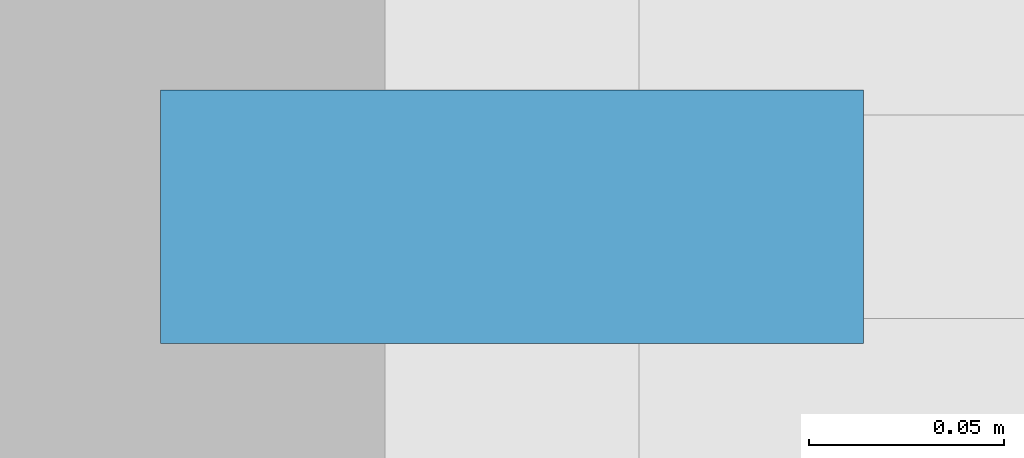
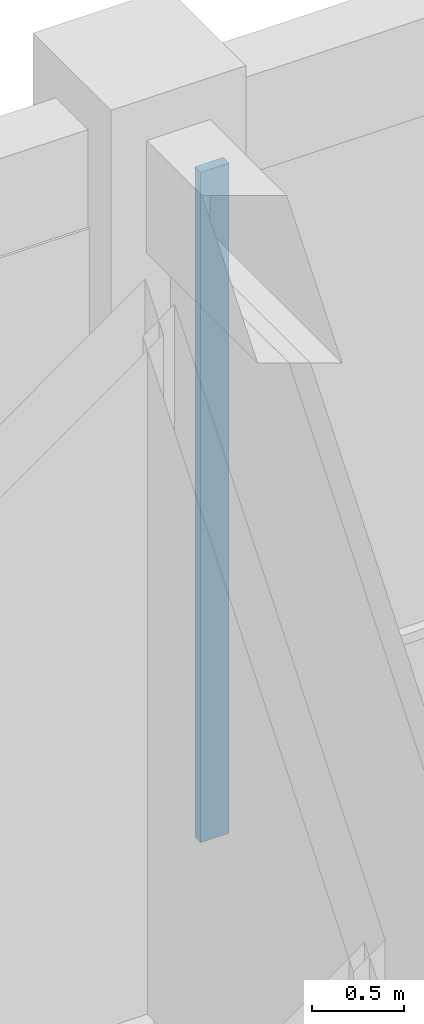
# One storey, part 17 of 58: 1 member, 1 element without a shape of its own.
"""IFC4 building model written with IfcOpenShell, lengths in metres."""

from ifc_helpers import new_model, si_unit, direction, frame, origin, origin_2d, place, context, subcontext, project, spatial, rectangle, extrude, material, layer, layer_set, material_profile, profile_set, type_object, element, aggregate, save


model = new_model("IFC4")

# Units and contexts
model_context = context("Model", 3, precision=1e-05, world=origin(), true_north=direction((0.0, 1.0)))
body_context = subcontext(model_context, "Body", "Model", "MODEL_VIEW")
ifc_project = project(units=[si_unit("LENGTHUNIT", "METRE"), si_unit("AREAUNIT", "SQUARE_METRE"), si_unit("VOLUMEUNIT", "CUBIC_METRE"), si_unit("PLANEANGLEUNIT", "RADIAN"), si_unit("MASSUNIT", "GRAM", prefix="KILO")], contexts=[model_context])

# Site, building, storey
site_placement = place(None, origin())
site = spatial("IfcSite", under=ifc_project, at=site_placement, CompositionType="ELEMENT")
building_placement = place(site_placement, origin())
building = spatial("IfcBuilding", under=site, at=building_placement, Name="Chengyuan Square Courthouse", CompositionType="ELEMENT")
storey_placement = place(building_placement, frame((0.0, 0.0, 16.199951171875)))
storey = spatial("IfcBuildingStorey", under=building, at=storey_placement, Name="L04", CompositionType="ELEMENT", Elevation=16.199951171875)

# Curtain wall, member
ifc_material_1 = material(Name="Unitised Aluminium and Triple Low-E Glass", Category="aluminium")
ifc_layer = layer(ifc_material_1, 0.179931640625)
ifc_layer_set = layer_set([ifc_layer], Name="Unitised Aluminium and Triple Low-E Glass")
curtain_wall_type = type_object("IfcCurtainWallType", Name="CW-10", PredefinedType="USERDEFINED", material=ifc_layer_set)
curtain_wall_placement = place(storey_placement, origin())
curtain_wall = element("IfcCurtainWall", 1, at=curtain_wall_placement, inside=storey, type_object=curtain_wall_type, Name="Unitised Curtain Wall CW-L04-152", ObjectType="UNITISED CURTAIN WALL", PredefinedType="USERDEFINED")
ifc_material_2 = material(Name="Aluminium 6063-T6 Frame", Category="aluminium")
ifc_material_profile = material_profile(ifc_material_2, rectangle(XDim=0.06494140625, YDim=0.179931640625, at=origin_2d()), Name="CW-MUL-65x180")
ifc_profile_set = profile_set([ifc_material_profile], Name="Aluminium 6063-T6 Frame")
member_type = type_object("IfcMemberType", Name="CWM-02", PredefinedType="MULLION", material=ifc_profile_set)
member_placement = place(storey_placement, frame((126.45751953125, 108.0, 0.0), z_axis=(0.0, 0.0, 1.0), x_axis=(0.0, 1.0, 0.0)))
member = element("IfcMember", 2, at=member_placement, type_object=member_type, Name="CW-10 mullion 1", PredefinedType="MULLION", context=body_context, shape_type="SweptSolid", body=[
    extrude(rectangle(XDim=0.06494140625, YDim=0.179931640625, at=origin_2d()), origin(), (0.0, 0.0, 1.0), 4.469970703125),
])
aggregate(curtain_wall, [member])

save(model, "model.ifc")
